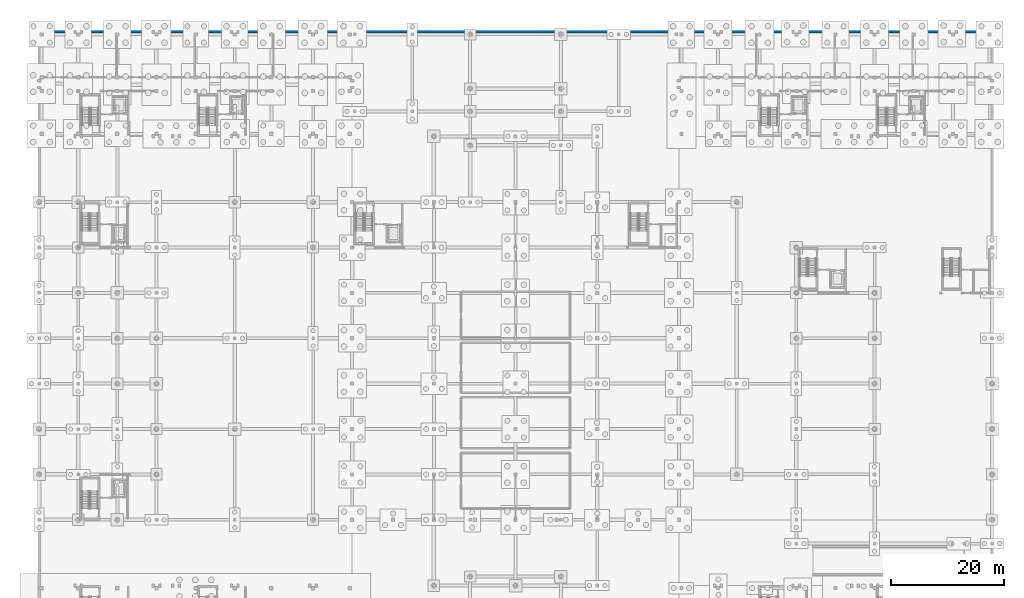
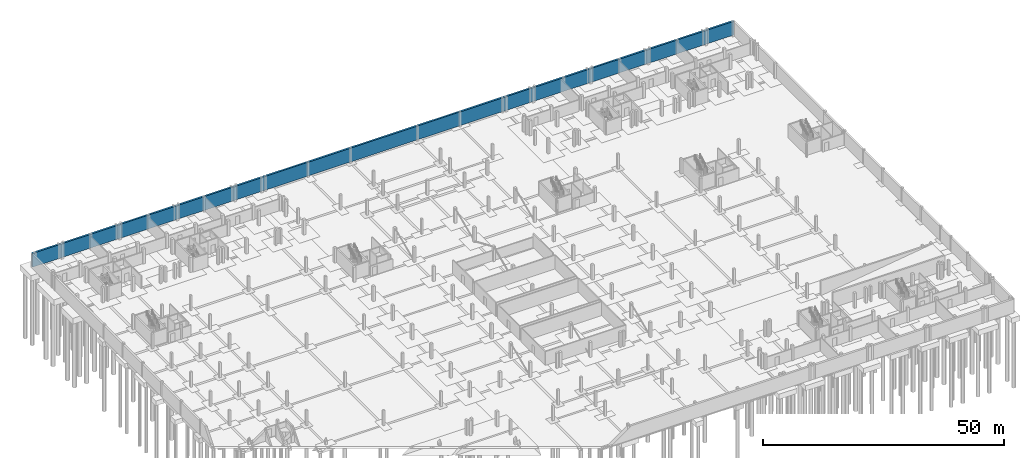
# One storey, part 24 of 38: 1 wall.
"""IFC4 building model written with IfcOpenShell, lengths in metres."""

from ifc_helpers import new_model, si_unit, direction, frame, frame_2d, origin, place, context, subcontext, project, spatial, rectangle, extrude, material, layer, layer_set, type_object, element, save


model = new_model("IFC4")

# Units and contexts
model_context = context("Model", 3, precision=1e-05, world=origin(), true_north=direction((0.0, 1.0)))
body_context = subcontext(model_context, "Body", "Model", "MODEL_VIEW")
ifc_project = project(units=[si_unit("LENGTHUNIT", "METRE"), si_unit("AREAUNIT", "SQUARE_METRE"), si_unit("VOLUMEUNIT", "CUBIC_METRE"), si_unit("PLANEANGLEUNIT", "RADIAN"), si_unit("MASSUNIT", "GRAM", prefix="KILO")], contexts=[model_context])

# Site, building, storey
site_placement = place(None, origin())
site = spatial("IfcSite", under=ifc_project, at=site_placement, CompositionType="ELEMENT")
building_placement = place(site_placement, origin())
building = spatial("IfcBuilding", under=site, at=building_placement, Name="Zavelmont Quarter", CompositionType="ELEMENT")
storey_placement = place(building_placement, frame((0.0, 0.0, -3.800048828125)))
storey = spatial("IfcBuildingStorey", under=building, at=storey_placement, Name="B01", CompositionType="ELEMENT", Elevation=-3.800048828125)

# Wall
ifc_material = material(Name="Concrete C35/45", Category="concrete")
ifc_layer = layer(ifc_material, 0.449951171875)
ifc_layer_set = layer_set([ifc_layer], Name="Concrete C35/45")
wall_type = type_object("IfcWallType", Name="BW01", PredefinedType="STANDARD", material=ifc_layer_set)
wall_placement = place(storey_placement, frame((168.0, 116.0, 0.0), z_axis=(0.0, 0.0, 1.0), x_axis=(-1.0, 0.0, 0.0)))
element("IfcWall", 1, at=wall_placement, inside=storey, type_object=wall_type, Name="B01 exterior limestone wall BW01", PredefinedType="STANDARD", context=body_context, shape_type="SweptSolid", body=[
    extrude(rectangle(XDim=168.0, YDim=0.449951171875, at=frame_2d((84.0, 0.0))), origin(), (0.0, 0.0, 1.0), 3.47998046875),
])

save(model, "model.ifc")
